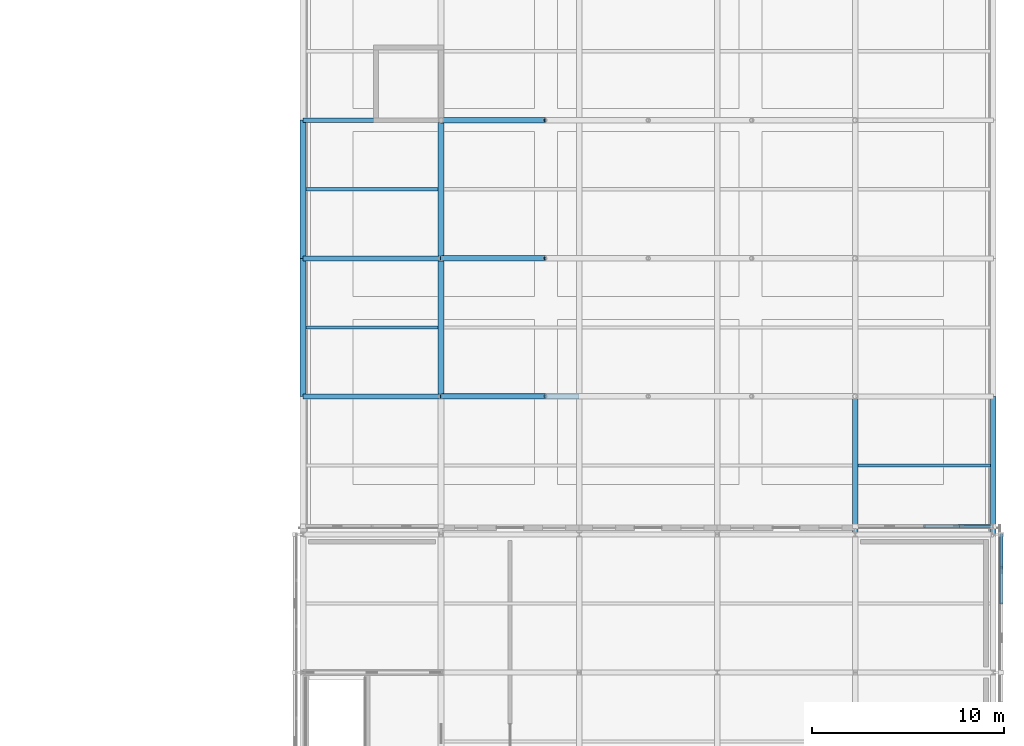
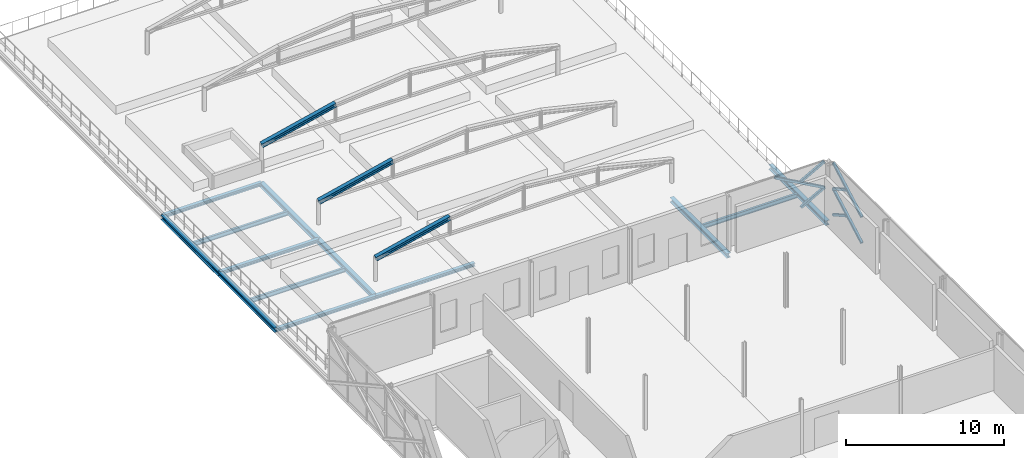
# One storey, part 64 of 126: 13 beams, 10 members.
"""IFC4 building model written with IfcOpenShell, lengths in metres."""

from ifc_helpers import new_model, si_unit, direction, frame, origin, origin_2d, place, context, subcontext, project, spatial, hollow_rectangle, i_section, extrude, material, material_profile, profile_set, type_object, element, save


model = new_model("IFC4")

# Units and contexts
model_context = context("Model", 3, precision=1e-05, world=origin(), true_north=direction((0.0, 1.0)))
body_context = subcontext(model_context, "Body", "Model", "MODEL_VIEW")
ifc_project = project(units=[si_unit("LENGTHUNIT", "METRE"), si_unit("AREAUNIT", "SQUARE_METRE"), si_unit("VOLUMEUNIT", "CUBIC_METRE"), si_unit("PLANEANGLEUNIT", "RADIAN"), si_unit("MASSUNIT", "GRAM", prefix="KILO")], contexts=[model_context])

# Site, building, storey
site_placement = place(None, origin())
site = spatial("IfcSite", under=ifc_project, at=site_placement, CompositionType="ELEMENT")
building_placement = place(site_placement, origin())
building = spatial("IfcBuilding", under=site, at=building_placement, Name="Zlatovets Crest Museum", CompositionType="ELEMENT")
storey_placement = place(building_placement, frame((0.0, 0.0, 8.699951171875)))
storey = spatial("IfcBuildingStorey", under=building, at=storey_placement, Name="L02", CompositionType="ELEMENT", Elevation=8.699951171875)

# Beams
ifc_material_1 = material(Name="Structural steel S355J2", Category="steel")
ifc_material_profile_1 = material_profile(ifc_material_1, i_section(OverallWidth=0.300048828125, OverallDepth=0.35009765625, WebThickness=0.010009765625, FlangeThickness=0.017578125, FilletRadius=0.027099609375, at=origin_2d()), Name="HEA 360")
ifc_profile_set_1 = profile_set([ifc_material_profile_1], Name="Structural steel S355J2")
beam_type_1 = type_object("IfcBeamType", Name="Beam_B-03", PredefinedType="BEAM", material=ifc_profile_set_1)
for number, where, z_axis, x_axis, name in (
    (1, (129.60009765625, 64.800048828125, -0.39501953125), (0.0, 1.0, 0.0), (-1.0, 0.0, 0.0), "V5 L02 Grid Beam B-03"),
    (2, (129.60009765625, 72.0, -0.39501953125), (0.0, 1.0, 0.0), (-1.0, 0.0, 0.0), "V5 L02 Grid Beam B-03"),
    (3, (136.800048828125, 64.800048828125, -0.39501953125), (0.0, 1.0, 0.0), (-1.0, 0.0, 0.0), "V5 L02 Grid Beam B-03"),
    (4, (136.800048828125, 72.0, -0.39501953125), (0.0, 1.0, 0.0), (-1.0, 0.0, 0.0), "V5 L02 Grid Beam B-03"),
    (5, (158.39990234375, 57.60009765625, -0.39501953125), (0.0, 1.0, 0.0), (-1.0, 0.0, 0.0), "V5 L02 Grid Beam B-03"),
    (6, (165.60009765625, 57.60009765625, -0.39501953125), (0.0, 1.0, 0.0), (-1.0, 0.0, 0.0), "V5 L02 Grid Beam B-03"),
):
    element("IfcBeam", number, at=place(storey_placement, frame(where, z_axis=z_axis, x_axis=x_axis)), inside=storey, type_object=beam_type_1, Name=name, PredefinedType="BEAM", context=body_context, shape_type="SweptSolid", body=[
        extrude(i_section(OverallWidth=0.300048828125, OverallDepth=0.35009765625, WebThickness=0.010009765625, FlangeThickness=0.017578125, FilletRadius=0.027099609375, at=origin_2d()), origin(), (0.0, 0.0, 1.0), 7.199951171875),
    ])
ifc_material_profile_2 = material_profile(ifc_material_1, i_section(OverallWidth=0.260009765625, OverallDepth=0.25, WebThickness=0.007568359375, FlangeThickness=0.012451171875, FilletRadius=0.02392578125, at=origin_2d()), Name="HEA 260")
ifc_profile_set_2 = profile_set([ifc_material_profile_2], Name="Structural steel S355J2")
beam_type_2 = type_object("IfcBeamType", Name="Beam_B-13", PredefinedType="BEAM", material=ifc_profile_set_2)
for number, where, z_axis, x_axis, name in (
    (7, (129.60009765625, 64.800048828125, -0.344970703125), (1.0, 0.0, 0.0), (0.0, 1.0, 0.0), "V5 L02 Primary Girder B-13"),
    (8, (136.800048828125, 64.800048828125, -0.344970703125), (1.0, 0.0, 0.0), (0.0, 1.0, 0.0), "V5 L02 Primary Girder B-13"),
    (9, (129.60009765625, 72.0, -0.344970703125), (1.0, 0.0, 0.0), (0.0, 1.0, 0.0), "V5 L02 Primary Girder B-13"),
    (10, (129.60009765625, 79.199951171875, -0.344970703125), (1.0, 0.0, 0.0), (0.0, 1.0, 0.0), "V5 L02 Primary Girder B-13"),
):
    element("IfcBeam", number, at=place(storey_placement, frame(where, z_axis=z_axis, x_axis=x_axis)), inside=storey, type_object=beam_type_2, Name=name, PredefinedType="BEAM", context=body_context, shape_type="SweptSolid", body=[
        extrude(i_section(OverallWidth=0.260009765625, OverallDepth=0.25, WebThickness=0.007568359375, FlangeThickness=0.012451171875, FilletRadius=0.02392578125, at=origin_2d()), origin(), (0.0, 0.0, 1.0), 7.199951171875),
    ])
ifc_material_profile_3 = material_profile(ifc_material_1, i_section(OverallWidth=0.159912109375, OverallDepth=0.330078125, WebThickness=0.007568359375, FlangeThickness=0.011474609375, FilletRadius=0.01806640625, at=origin_2d()), Name="IPE 330")
ifc_profile_set_3 = profile_set([ifc_material_profile_3], Name="Structural steel S355J2")
beam_type_3 = type_object("IfcBeamType", Name="Beam_J-09", PredefinedType="JOIST", material=ifc_profile_set_3)
for number, where, z_axis, x_axis, name in (
    (11, (129.75, 68.39990234375, -0.385009765625), (1.0, 0.0, 0.0), (0.0, 1.0, 0.0), "V5 L02 Composite Joist J-09"),
    (12, (129.75, 75.60009765625, -0.385009765625), (1.0, 0.0, 0.0), (0.0, 1.0, 0.0), "V5 L02 Composite Joist J-09"),
    (13, (158.550048828125, 61.199951171875, -0.385009765625), (1.0, 0.0, 0.0), (0.0, 1.0, 0.0), "V5 L02 Composite Joist J-09"),
):
    element("IfcBeam", number, at=place(storey_placement, frame(where, z_axis=z_axis, x_axis=x_axis)), inside=storey, type_object=beam_type_3, Name=name, PredefinedType="JOIST", context=body_context, shape_type="SweptSolid", body=[
        extrude(i_section(OverallWidth=0.159912109375, OverallDepth=0.330078125, WebThickness=0.007568359375, FlangeThickness=0.011474609375, FilletRadius=0.01806640625, at=origin_2d()), origin(), (0.0, 0.0, 1.0), 6.89990234375),
    ])

# Members
ifc_material_2 = material(Name="Weathering bronze-steel S355J2W", Category="steel")
ifc_material_profile_4 = material_profile(ifc_material_2, hollow_rectangle(XDim=0.179931640625, YDim=0.179931640625, WallThickness=0.010009765625, InnerFilletRadius=0.010009765625, OuterFilletRadius=0.02001953125, at=origin_2d()), Name="SHS 180x180x10.0")
ifc_profile_set_4 = profile_set([ifc_material_profile_4], Name="Weathering bronze-steel S355J2W")
member_type_1 = type_object("IfcMemberType", Name="Lattice_XL-01", PredefinedType="BRACE", material=ifc_profile_set_4)
member_1_placement = place(storey_placement, frame((166.02001953125, 54.0, 0.10009765625), z_axis=(0.0, 0.874162868644, 0.485632864501), x_axis=(-1.0, 0.0, 0.0)))
element("IfcMember", 14, at=member_1_placement, inside=storey, type_object=member_type_1, Name="Continuous Bronze Lattice Diagonal", PredefinedType="BRACE", context=body_context, shape_type="SweptSolid", body=[
    extrude(hollow_rectangle(XDim=0.179931640625, YDim=0.179931640625, WallThickness=0.010009765625, InnerFilletRadius=0.010009765625, OuterFilletRadius=0.02001953125, at=origin_2d()), origin(), (0.0, 0.0, 1.0), 4.118408203125),
])
member_2_placement = place(storey_placement, frame((166.02001953125, 55.883056640625, 1.053955078125), z_axis=(0.0, 0.874169001841, -0.485621824284), x_axis=(-1.0, 0.0, 0.0)))
element("IfcMember", 15, at=member_2_placement, inside=storey, type_object=member_type_1, Name="Split Crossing Bronze Lattice Diagonal Lower", PredefinedType="BRACE", context=body_context, shape_type="SweptSolid", body=[
    extrude(hollow_rectangle(XDim=0.179931640625, YDim=0.179931640625, WallThickness=0.010009765625, InnerFilletRadius=0.010009765625, OuterFilletRadius=0.02001953125, at=origin_2d()), origin(), (0.0, 0.0, 1.0), 1.964111328125),
])
member_3_placement = place(storey_placement, frame((166.02001953125, 54.0, 2.10009765625), z_axis=(0.0, 0.874162868644, 0.485632864501), x_axis=(-1.0, 0.0, 0.0)))
element("IfcMember", 16, at=member_3_placement, inside=storey, type_object=member_type_1, Name="Continuous Bronze Lattice Diagonal", PredefinedType="BRACE", context=body_context, shape_type="SweptSolid", body=[
    extrude(hollow_rectangle(XDim=0.179931640625, YDim=0.179931640625, WallThickness=0.010009765625, InnerFilletRadius=0.010009765625, OuterFilletRadius=0.02001953125, at=origin_2d()), origin(), (0.0, 0.0, 1.0), 4.118408203125),
])
for number, where, z_axis, x_axis, name in (
    (17, (166.02001953125, 55.883056640625, 3.053955078125), (0.0, 0.874169001841, -0.485621824284), (-1.0, 0.0, 0.0), "Split Crossing Bronze Lattice Diagonal Lower"),
    (18, (165.60009765625, 58.02001953125, 2.10009765625), (-0.874169001841, 0.0, -0.485621824284), (0.0, -1.0, 0.0), "Split Crossing Bronze Lattice Diagonal Upper"),
):
    element("IfcMember", number, at=place(storey_placement, frame(where, z_axis=z_axis, x_axis=x_axis)), inside=storey, type_object=member_type_1, Name=name, PredefinedType="BRACE", context=body_context, shape_type="SweptSolid", body=[
        extrude(hollow_rectangle(XDim=0.179931640625, YDim=0.179931640625, WallThickness=0.010009765625, InnerFilletRadius=0.010009765625, OuterFilletRadius=0.02001953125, at=origin_2d()), origin(), (0.0, 0.0, 1.0), 1.964111328125),
    ])
member_4_placement = place(storey_placement, frame((165.60009765625, 58.02001953125, 2.10009765625), z_axis=(-0.874162868644, 0.0, 0.485632864501), x_axis=(0.0, -1.0, 0.0)))
element("IfcMember", 19, at=member_4_placement, inside=storey, type_object=member_type_1, Name="Continuous Bronze Lattice Diagonal", PredefinedType="BRACE", context=body_context, shape_type="SweptSolid", body=[
    extrude(hollow_rectangle(XDim=0.179931640625, YDim=0.179931640625, WallThickness=0.010009765625, InnerFilletRadius=0.010009765625, OuterFilletRadius=0.02001953125, at=origin_2d()), origin(), (0.0, 0.0, 1.0), 4.118408203125),
])
member_5_placement = place(storey_placement, frame((165.60009765625, 58.02001953125, 4.10009765625), z_axis=(-0.874169001841, 0.0, -0.485621824284), x_axis=(0.0, -1.0, 0.0)))
element("IfcMember", 20, at=member_5_placement, inside=storey, type_object=member_type_1, Name="Split Crossing Bronze Lattice Diagonal Upper", PredefinedType="BRACE", context=body_context, shape_type="SweptSolid", body=[
    extrude(hollow_rectangle(XDim=0.179931640625, YDim=0.179931640625, WallThickness=0.010009765625, InnerFilletRadius=0.010009765625, OuterFilletRadius=0.02001953125, at=origin_2d()), origin(), (0.0, 0.0, 1.0), 1.964111328125),
])
ifc_material_profile_5 = material_profile(ifc_material_1, i_section(OverallWidth=0.300048828125, OverallDepth=0.31005859375, WebThickness=0.009033203125, FlangeThickness=0.015380859375, FilletRadius=0.027099609375, at=origin_2d()), Name="HEA 320")
ifc_profile_set_5 = profile_set([ifc_material_profile_5], Name="Structural steel S355J2")
member_type_2 = type_object("IfcMemberType", Name="Member_TM-02", PredefinedType="RAFTER", material=ifc_profile_set_5)
for number, where, z_axis, x_axis, name in (
    (21, (136.800048828125, 64.800048828125, 2.60009765625), (0.973331107108, 0.0, 0.229404786208), (0.0, 1.0, 0.0), "Art Nouveau Botanical Pergola Arch"),
    (22, (136.800048828125, 72.0, 2.60009765625), (0.973331107108, 0.0, 0.229404786208), (0.0, 1.0, 0.0), "Art Nouveau Botanical Pergola Arch"),
    (23, (136.800048828125, 79.199951171875, 2.60009765625), (0.973331107108, 0.0, 0.229404786208), (0.0, 1.0, 0.0), "Art Nouveau Botanical Pergola Arch"),
):
    element("IfcMember", number, at=place(storey_placement, frame(where, z_axis=z_axis, x_axis=x_axis)), inside=storey, type_object=member_type_2, Name=name, PredefinedType="RAFTER", context=body_context, shape_type="SweptSolid", body=[
        extrude(i_section(OverallWidth=0.300048828125, OverallDepth=0.31005859375, WebThickness=0.009033203125, FlangeThickness=0.015380859375, FilletRadius=0.027099609375, at=origin_2d()), origin(), (0.0, 0.0, 1.0), 5.5478515625),
    ])

save(model, "model.ifc")
